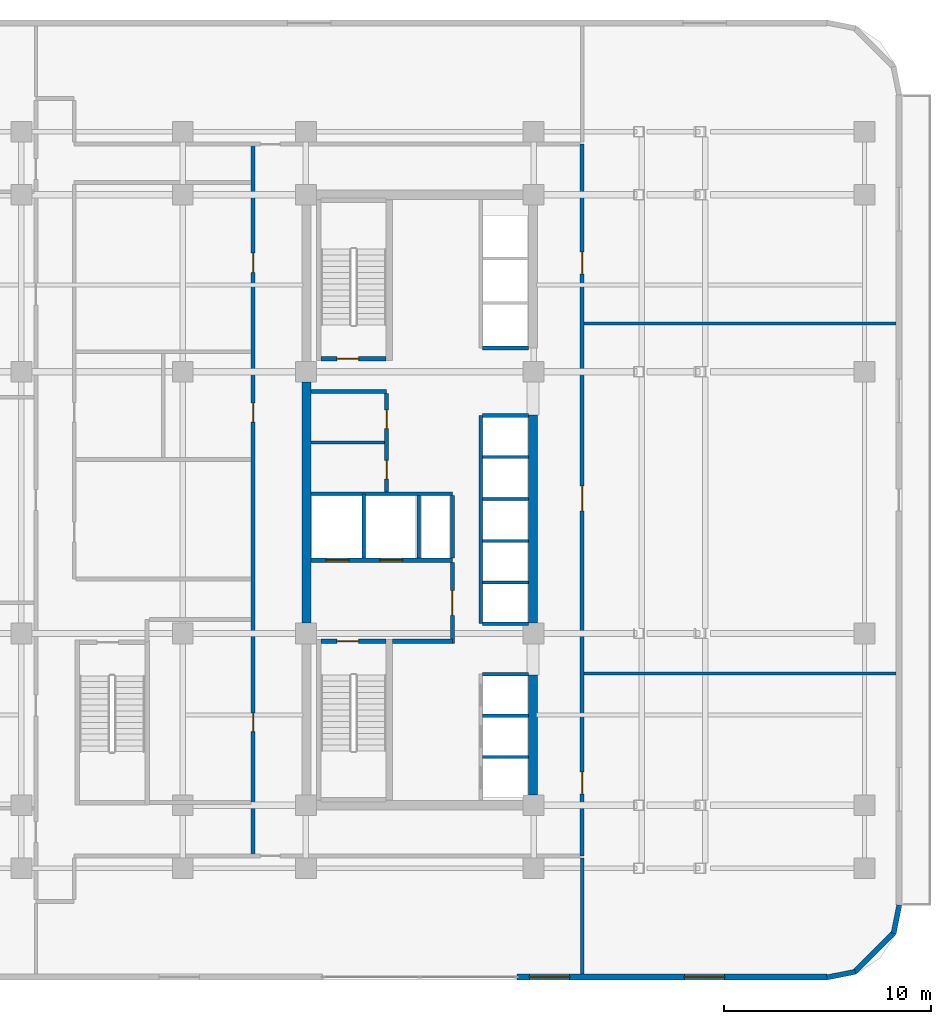
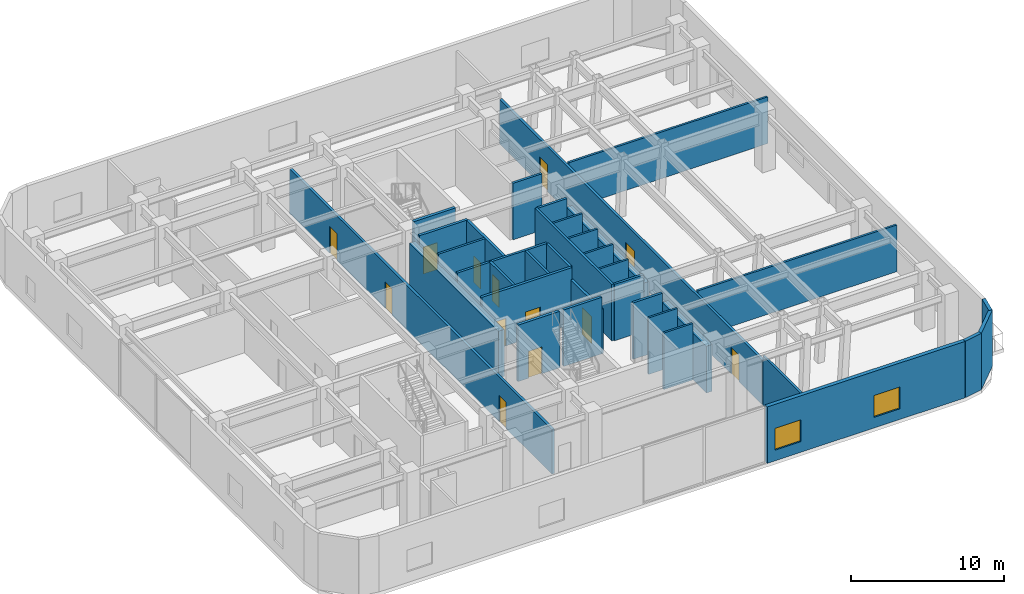
# One storey, part 7 of 12: 35 walls, 13 doors, 2 windows, 15 openings.
"""IFC4 building model written with IfcOpenShell, lengths in metres."""

import ifcopenshell
import ifcopenshell.guid

model = None  # the IFC model being written
_history = None  # IfcOwnerHistory: only IFC2X3 demands one
_inside = {}  # id of a spatial element -> (the spatial element, [elements in it])
_under = {}  # id of a project, library or spatial element -> (it, [spatial elements below it])
_declared = {}  # id of a project -> (the project, [libraries it declares])
_typed = {}  # id of a type object -> (the type object, [elements of that type])
_made_of = {}  # id of a material, layer set ... -> (it, [elements and type objects made of it])


def new_model(schema):
    """Start an empty IFC model of exactly this schema.

    Asked for "IFC4X3", IfcOpenShell would pick the latest addendum, in which some entities
    have other attributes; the version numbers below select the first issue.
    IFC2X3 requires an IfcOwnerHistory on every rooted entity: one is made here for all.
    """
    global model, _history
    if schema == "IFC4X3":
        model = ifcopenshell.file(schema_version=(4, 3, 0, 0))
    else:
        model = ifcopenshell.file(schema=schema)
    _inside.clear()
    _under.clear()
    _declared.clear()
    _typed.clear()
    _made_of.clear()
    _history = None
    if model.schema == "IFC2X3":
        org = make("IfcOrganization", Name="unknown")
        user = make(
            "IfcPersonAndOrganization",
            ThePerson=make("IfcPerson", FamilyName="unknown"),
            TheOrganization=org,
        )
        app = make(
            "IfcApplication",
            ApplicationDeveloper=org,
            Version="unknown",
            ApplicationFullName="unknown",
            ApplicationIdentifier="unknown",
        )
        _history = make(
            "IfcOwnerHistory",
            OwningUser=user,
            OwningApplication=app,
            ChangeAction="ADDED",
            CreationDate=0,
        )
    return model


def make(cls, **values):
    """One entity of the class cls with the attributes given. An attribute that is None is left unset."""
    return model.create_entity(
        cls, **{name: value for name, value in values.items() if value is not None}
    )


def rooted(cls, **values):
    """An entity with a GlobalId (a new one), such as an element, a storey or a relation."""
    return make(cls, GlobalId=ifcopenshell.guid.new(), OwnerHistory=_history, **values)


def si_unit(unit_type, name, prefix=None):
    """IfcSIUnit, for example si_unit("LENGTHUNIT", "METRE", prefix="MILLI")."""
    return make("IfcSIUnit", UnitType=unit_type, Prefix=prefix, Name=name)


def assignment(units):
    """IfcUnitAssignment: the units of a project."""
    return None if units is None else make("IfcUnitAssignment", Units=units)


def point(xyz):
    """IfcCartesianPoint."""
    return None if xyz is None else make("IfcCartesianPoint", Coordinates=xyz)


def direction(xyz):
    """IfcDirection."""
    return None if xyz is None else make("IfcDirection", DirectionRatios=xyz)


def frame(location, z_axis=None, x_axis=None):
    """IfcAxis2Placement3D, a coordinate frame: its origin and axes. An axis left out is left unset."""
    return make(
        "IfcAxis2Placement3D",
        Location=point(location),
        Axis=direction(z_axis),
        RefDirection=direction(x_axis),
    )


def frame_2d(location, x_axis=None):
    """IfcAxis2Placement2D, a coordinate frame in the plane: its origin and x axis."""
    return make(
        "IfcAxis2Placement2D", Location=point(location), RefDirection=direction(x_axis)
    )


def origin():
    """The frame at (0, 0, 0) with its axes left unset."""
    return frame((0.0, 0.0, 0.0))


def place(relative_to, where):
    """IfcLocalPlacement: puts the frame where relative to a parent placement (None: the world)."""
    return make(
        "IfcLocalPlacement", PlacementRelTo=relative_to, RelativePlacement=where
    )


def context(
    kind, dimensions, precision=None, world=None, true_north=None, identifier=None
):
    """IfcGeometricRepresentationContext, for example the 3D "Model" context."""
    return make(
        "IfcGeometricRepresentationContext",
        ContextIdentifier=identifier,
        ContextType=kind,
        CoordinateSpaceDimension=dimensions,
        Precision=precision,
        WorldCoordinateSystem=world,
        TrueNorth=true_north,
    )


def subcontext(parent, identifier, kind, view, scale=None):
    """IfcGeometricRepresentationSubContext, for example "Body" below "Model"."""
    return make(
        "IfcGeometricRepresentationSubContext",
        ContextIdentifier=identifier,
        ContextType=kind,
        ParentContext=parent,
        TargetScale=scale,
        TargetView=view,
    )


def project(units=None, contexts=None):
    """IfcProject with its units and contexts."""
    return rooted(
        "IfcProject",
        Name="project",
        RepresentationContexts=contexts,
        UnitsInContext=assignment(units),
    )


def spatial(cls, under=None, at=None, **own):
    """A site, building, storey or space (cls), placed at a placement, below another one or the project."""
    s = rooted(cls, ObjectPlacement=at, **own)
    if under is not None:
        _under.setdefault(under.id(), (under, []))[1].append(s)
    return s


def profile(cls, at=None, kind="AREA", **sizes):
    """A parametric profile (cls). Its sizes go by their IFC names, for example OverallWidth=200.0."""
    return make(cls, ProfileType=kind, Position=at, **sizes)


def rectangle(**sizes):
    """IfcRectangleProfileDef."""
    return profile("IfcRectangleProfileDef", **sizes)


def extrude(swept, where, along, depth):
    """IfcExtrudedAreaSolid: the profile swept, set in the frame where, extruded along a direction by depth."""
    return make(
        "IfcExtrudedAreaSolid",
        SweptArea=swept,
        Position=where,
        ExtrudedDirection=direction(along),
        Depth=depth,
    )


def shape(context_of_items, identifier, shape_type, items):
    """IfcShapeRepresentation: the items that make up one representation, for example the "Body"."""
    return make(
        "IfcShapeRepresentation",
        ContextOfItems=context_of_items,
        RepresentationIdentifier=identifier,
        RepresentationType=shape_type,
        Items=items,
    )


def material(Name=None, Category=None):
    """IfcMaterial."""
    return make("IfcMaterial", Name=Name, Category=Category)


def layer(
    of_material, thickness, ventilated=None, Name=None, Category=None, Priority=None
):
    """IfcMaterialLayer: one layer of a wall or slab, of a material (None: an air gap)."""
    return make(
        "IfcMaterialLayer",
        Material=of_material,
        LayerThickness=thickness,
        IsVentilated=ventilated,
        Name=Name,
        Category=Category,
        Priority=Priority,
    )


def layer_set(layers, Name=None):
    """IfcMaterialLayerSet."""
    return make("IfcMaterialLayerSet", MaterialLayers=layers, LayerSetName=Name)


def made_of(thing, what):
    """Note that an element or type object is made of a material, layer set ...; save() writes the relation."""
    if what is not None:
        _made_of.setdefault(what.id(), (what, []))[1].append(thing)
    return thing


def type_object(cls, material=None, **own):
    """A type object (cls), such as IfcWallType, which elements share."""
    return made_of(rooted(cls, **own), material)


def element(
    cls,
    number,
    at=None,
    inside=None,
    cuts=None,
    type_object=None,
    material=None,
    context=None,
    identifier="Body",
    shape_type=None,
    held_by="IfcProductDefinitionShape",
    body=None,
    shapes=None,
    **own,
):
    """One element of the class cls, such as IfcWall. Its Tag is "e" and its number.

    at: its placement. inside: the storey or other place that contains it. cuts: it is an
    opening in that element (IfcRelVoidsElement). A single representation is given by context,
    identifier, shape_type and body (its items); several are given by shapes. held_by: the class
    of the entity that holds the representations. save() writes the other relations.
    """
    e = rooted(cls, Tag="e%d" % number, ObjectPlacement=at, **own)
    if body is not None:
        shapes = [shape(context, identifier, shape_type, body)]
    if shapes is not None:
        e.Representation = make(held_by, Representations=shapes)
    if inside is not None:
        _inside.setdefault(inside.id(), (inside, []))[1].append(e)
    if cuts is not None:
        rooted(
            "IfcRelVoidsElement", RelatingBuildingElement=cuts, RelatedOpeningElement=e
        )
    if type_object is not None:
        _typed.setdefault(type_object.id(), (type_object, []))[1].append(e)
    return made_of(e, material)


def fill(opening, filler):
    """IfcRelFillsElement: the door or window that sits in an opening."""
    return rooted(
        "IfcRelFillsElement",
        RelatingOpeningElement=opening,
        RelatedBuildingElement=filler,
    )


def aggregate(whole, parts):
    """IfcRelAggregates: a whole, such as a stair, and the parts it consists of."""
    return rooted("IfcRelAggregates", RelatingObject=whole, RelatedObjects=parts)


def save(model, path):
    """Write the relations noted so far, then the file.

    IfcRelAggregates (storeys below a building ...), IfcRelContainedInSpatialStructure (elements
    in a storey), IfcRelDefinesByType, IfcRelAssociatesMaterial and IfcRelDeclares: one each for
    every whole, place, type object, material and project.
    """
    for whole, parts in _under.values():
        aggregate(whole, parts)
    for where, things in _inside.values():
        rooted(
            "IfcRelContainedInSpatialStructure",
            RelatedElements=things,
            RelatingStructure=where,
        )
    for kind, things in _typed.values():
        rooted("IfcRelDefinesByType", RelatedObjects=things, RelatingType=kind)
    for what, things in _made_of.values():
        rooted("IfcRelAssociatesMaterial", RelatedObjects=things, RelatingMaterial=what)
    for by, libraries in _declared.values():
        rooted("IfcRelDeclares", RelatingContext=by, RelatedDefinitions=libraries)
    model.write(path)


model = new_model("IFC4")

# Units and contexts
model_context = context("Model", 3, precision=1e-05, world=origin(), true_north=direction((0.0, 1.0)))
body_context = subcontext(model_context, "Body", "Model", "MODEL_VIEW")
ifc_project = project(units=[si_unit("LENGTHUNIT", "METRE"), si_unit("AREAUNIT", "SQUARE_METRE"), si_unit("VOLUMEUNIT", "CUBIC_METRE"), si_unit("PLANEANGLEUNIT", "RADIAN"), si_unit("MASSUNIT", "GRAM", prefix="KILO")], contexts=[model_context])

# Site, building, storey
site_placement = place(None, origin())
site = spatial("IfcSite", under=ifc_project, at=site_placement, CompositionType="ELEMENT")
building_placement = place(site_placement, origin())
building = spatial("IfcBuilding", under=site, at=building_placement, Name="Ochreholt Gables", CompositionType="ELEMENT")
storey_placement = place(building_placement, frame((0.0, 0.0, 9.60009765625)))
storey = spatial("IfcBuildingStorey", under=building, at=storey_placement, Name="L02", CompositionType="ELEMENT", Elevation=9.60009765625)

# Walls
ifc_material_1 = material(Name="Concrete 60 MPa", Category="concrete")
ifc_layer_1 = layer(ifc_material_1, 0.449951171875, Name="Concrete 60 MPa")
ifc_layer_set_1 = layer_set([ifc_layer_1], Name="Concrete 60 MPa")
wall_type_1 = type_object("IfcWallType", Name="WALL-CSW-450", PredefinedType="SHEAR", material=ifc_layer_set_1)
wall_1_placement = place(storey_placement, frame((24.22509765625, 18.050048828125, 0.0), z_axis=(0.0, 0.0, 1.0), x_axis=(0.0, 1.0, 0.0)))
element("IfcWall", 1, at=wall_1_placement, inside=storey, type_object=wall_type_1, Name="L02 Core West Shear Wall WM", PredefinedType="SHEAR", context=body_context, shape_type="SweptSolid", body=[
    extrude(rectangle(XDim=11.64990234375, YDim=0.449951171875, at=frame_2d((5.824951171875, 0.0))), origin(), (0.0, 0.0, 1.0), 3.75),
])
wall_2_placement = place(storey_placement, frame((35.175048828125, 9.75, 0.0), z_axis=(0.0, 0.0, 1.0), x_axis=(0.0, 1.0, 0.0)))
element("IfcWall", 2, at=wall_2_placement, inside=storey, type_object=wall_type_1, Name="L02 Core South-East Shear Wall", PredefinedType="SHEAR", context=body_context, shape_type="SweptSolid", body=[
    extrude(rectangle(XDim=5.800048828125, YDim=0.449951171875, at=frame_2d((2.89990234375, 0.0))), origin(), (0.0, 0.0, 1.0), 3.75),
])
wall_3_placement = place(storey_placement, frame((35.175048828125, 18.050048828125, 0.0), z_axis=(0.0, 0.0, 1.0), x_axis=(0.0, 1.0, 0.0)))
element("IfcWall", 3, at=wall_3_placement, inside=storey, type_object=wall_type_1, Name="L02 Core Central-East Shear Wall", PredefinedType="SHEAR", context=body_context, shape_type="SweptSolid", body=[
    extrude(rectangle(XDim=10.050048828125, YDim=0.449951171875, at=frame_2d((5.02490234375, 0.0))), origin(), (0.0, 0.0, 1.0), 3.75),
])

# Wall, openings, windows
ifc_material_2 = material(Name="Precast concrete 40 MPa", Category="concrete")
ifc_layer_2 = layer(ifc_material_2, 0.2900390625, Name="Precast concrete 40 MPa")
ifc_layer_set_2 = layer_set([ifc_layer_2], Name="Precast concrete 40 MPa")
wall_type_2 = type_object("IfcWallType", Name="WALL-EXT-290", PredefinedType="SOLIDWALL", material=ifc_layer_set_2)
wall_4_placement = place(storey_placement, frame((34.39990234375, 0.945068359375, 0.0), z_axis=(0.0, 0.0, 1.0), x_axis=(1.0, 0.0, 0.0)))
wall_4 = element("IfcWall", 4, at=wall_4_placement, inside=storey, type_object=wall_type_2, Name="L02 South Facade Wall 2", PredefinedType="SOLIDWALL", context=body_context, shape_type="SweptSolid", body=[
    extrude(rectangle(XDim=14.97998046875, YDim=0.2900390625, at=frame_2d((7.489990234375, 0.0))), origin(), (0.0, 0.0, 1.0), 4.52001953125),
])
opening_1_placement = place(wall_4_placement, frame((0.60009765625, 0.0, 0.85009765625)))
opening_1 = element("IfcOpeningElement", 5, at=opening_1_placement, cuts=wall_4, Name="Opening WN-9", PredefinedType="OPENING", context=body_context, shape_type="SweptSolid", body=[
    extrude(rectangle(XDim=1.949951171875, YDim=1.75, at=frame_2d((0.97509765625, 0.875))), frame((0.0, 0.155029296875, 0.0), z_axis=(0.0, -1.0, 0.0), x_axis=(1.0, 0.0, 0.0)), (0.0, 0.0, 1.0), 0.31005859375),
])
opening_2_placement = place(wall_4_placement, frame((8.090087890625, 0.0, 0.85009765625)))
opening_2 = element("IfcOpeningElement", 6, at=opening_2_placement, cuts=wall_4, Name="Opening WN-9", PredefinedType="OPENING", context=body_context, shape_type="SweptSolid", body=[
    extrude(rectangle(XDim=1.949951171875, YDim=1.75, at=frame_2d((0.97509765625, 0.875))), frame((0.0, 0.155029296875, 0.0), z_axis=(0.0, -1.0, 0.0), x_axis=(1.0, 0.0, 0.0)), (0.0, 0.0, 1.0), 0.31005859375),
])
ifc_material_3 = material(Name="Triple-Glazed Thermally Broken Aluminium Window", Category="aluminium")
window_type = type_object("IfcWindowType", Name="WIN-CLN-1950", PartitioningType="SINGLE_PANEL", PredefinedType="WINDOW", material=ifc_material_3)
window_1_placement = place(opening_1_placement, origin())
window_1 = element("IfcWindow", 7, at=window_1_placement, inside=storey, type_object=window_type, Name="L02 Window W-EXT-S2-L02-1", OverallHeight=1.75, OverallWidth=1.949951171875, PartitioningType="SINGLE_PANEL", PredefinedType="WINDOW", context=body_context, shape_type="SweptSolid", body=[
    extrude(rectangle(XDim=1.949951171875, YDim=1.75, at=frame_2d((0.97509765625, 0.875))), frame((0.0, 0.030029296875, 0.0), z_axis=(0.0, -1.0, 0.0), x_axis=(1.0, 0.0, 0.0)), (0.0, 0.0, 1.0), 0.06005859375),
])
fill(opening_1, window_1)
window_2_placement = place(opening_2_placement, origin())
window_2 = element("IfcWindow", 8, at=window_2_placement, inside=storey, type_object=window_type, Name="L02 Window W-EXT-S2-L02-2", OverallHeight=1.75, OverallWidth=1.949951171875, PartitioningType="SINGLE_PANEL", PredefinedType="WINDOW", context=body_context, shape_type="SweptSolid", body=[
    extrude(rectangle(XDim=1.949951171875, YDim=1.75, at=frame_2d((0.97509765625, 0.875))), frame((0.0, 0.030029296875, 0.0), z_axis=(0.0, -1.0, 0.0), x_axis=(1.0, 0.0, 0.0)), (0.0, 0.0, 1.0), 0.06005859375),
])
fill(opening_2, window_2)

# Walls
ifc_layer_3 = layer(ifc_material_2, 0.25, Name="Precast concrete 40 MPa")
ifc_layer_set_3 = layer_set([ifc_layer_3], Name="Precast concrete 40 MPa")
wall_type_3 = type_object("IfcWallType", Name="WALL-EXT-CNR", PredefinedType="SOLIDWALL", material=ifc_layer_set_3)
wall_5_placement = place(storey_placement, frame((49.383544921875, 0.92431640625, 0.0), z_axis=(0.0, 0.0, 1.0), x_axis=(0.980809899341, 0.19496651342, 0.0)))
element("IfcWall", 9, at=wall_5_placement, inside=storey, type_object=wall_type_3, Name="L02 Rounded Corner Wall SE-1", PredefinedType="SOLIDWALL", context=body_context, shape_type="SweptSolid", body=[
    extrude(rectangle(XDim=1.388671875, YDim=0.25, at=frame_2d((0.6943359375, 0.0))), origin(), (0.0, 0.0, 1.0), 4.52001953125),
])
wall_6_placement = place(storey_placement, frame((50.695068359375, 1.16796875, 0.0), z_axis=(0.0, 0.0, 1.0), x_axis=(0.707106781187, 0.707106781187, 0.0)))
element("IfcWall", 10, at=wall_6_placement, inside=storey, type_object=wall_type_3, Name="L02 Rounded Corner Wall SE-2", PredefinedType="SOLIDWALL", context=body_context, shape_type="SweptSolid", body=[
    extrude(rectangle(XDim=2.7392578125, YDim=0.25, at=frame_2d((1.36962890625, 0.0))), origin(), (0.0, 0.0, 1.0), 4.52001953125),
])
wall_7_placement = place(storey_placement, frame((52.60498046875, 3.054443359375, 0.0), z_axis=(0.0, 0.0, 1.0), x_axis=(0.19496651342, 0.980809899341, 0.0)))
element("IfcWall", 11, at=wall_7_placement, inside=storey, type_object=wall_type_3, Name="L02 Rounded Corner Wall SE-3", PredefinedType="SOLIDWALL", context=body_context, shape_type="SweptSolid", body=[
    extrude(rectangle(XDim=1.388671875, YDim=0.25, at=frame_2d((0.6943359375, 0.0))), origin(), (0.0, 0.0, 1.0), 4.52001953125),
])

# Wall, openings, doors
ifc_material_4 = material(Name="Concrete 40 MPa", Category="concrete")
ifc_layer_4 = layer(ifc_material_4, 0.199951171875, Name="Concrete 40 MPa")
ifc_layer_set_4 = layer_set([ifc_layer_4], Name="Concrete 40 MPa")
wall_type_4 = type_object("IfcWallType", Name="WALL-INT-CF200", PredefinedType="STANDARD", material=ifc_layer_set_4)
wall_8_placement = place(storey_placement, frame((24.449951171875, 21.090087890625, 0.0), z_axis=(0.0, 0.0, 1.0), x_axis=(1.0, 0.0, 0.0)))
wall_8 = element("IfcWall", 12, at=wall_8_placement, inside=storey, type_object=wall_type_4, Name="L02 Interior Wall WI-FFN-L02", PredefinedType="STANDARD", context=body_context, shape_type="SweptSolid", body=[
    extrude(rectangle(XDim=6.830078125, YDim=0.199951171875, at=frame_2d((3.4150390625, 0.0))), origin(), (0.0, 0.0, 1.0), 4.52001953125),
])
opening_3_placement = place(wall_8_placement, frame((0.719970703125, 0.0, 0.0)))
opening_3 = element("IfcOpeningElement", 13, at=opening_3_placement, cuts=wall_8, Name="Opening LD-FF", PredefinedType="OPENING", context=body_context, shape_type="SweptSolid", body=[
    extrude(rectangle(XDim=1.10009765625, YDim=2.199951171875, at=frame_2d((0.550048828125, 1.10009765625))), frame((0.0, 0.10986328125, 0.0), z_axis=(0.0, -1.0, 0.0), x_axis=(1.0, 0.0, 0.0)), (0.0, 0.0, 1.0), 0.219970703125),
])
opening_4_placement = place(wall_8_placement, frame((3.320068359375, 0.0, 0.0)))
opening_4 = element("IfcOpeningElement", 14, at=opening_4_placement, cuts=wall_8, Name="Opening LD-FF", PredefinedType="OPENING", context=body_context, shape_type="SweptSolid", body=[
    extrude(rectangle(XDim=1.10009765625, YDim=2.199951171875, at=frame_2d((0.550048828125, 1.10009765625))), frame((0.0, 0.10986328125, 0.0), z_axis=(0.0, -1.0, 0.0), x_axis=(1.0, 0.0, 0.0)), (0.0, 0.0, 1.0), 0.219970703125),
])
ifc_material_5 = material(Name="Stainless Steel", Category="steel")
door_type_1 = type_object("IfcDoorType", Name="DR-LFT-FF1100", OperationType="NOTDEFINED", PredefinedType="DOOR", material=ifc_material_5)
door_1_placement = place(opening_3_placement, origin())
door_1 = element("IfcDoor", 15, at=door_1_placement, inside=storey, type_object=door_type_1, Name="L02 Door LD-FF1-L02", OperationType="SLIDING_TO_LEFT", OverallHeight=2.199951171875, OverallWidth=1.10009765625, PredefinedType="DOOR", context=body_context, shape_type="SweptSolid", body=[
    extrude(rectangle(XDim=1.10009765625, YDim=2.199951171875, at=frame_2d((0.550048828125, 1.10009765625))), frame((0.0, 0.02490234375, 0.0), z_axis=(0.0, -1.0, 0.0), x_axis=(1.0, 0.0, 0.0)), (0.0, 0.0, 1.0), 0.050048828125),
])
fill(opening_3, door_1)
door_2_placement = place(opening_4_placement, origin())
door_2 = element("IfcDoor", 16, at=door_2_placement, inside=storey, type_object=door_type_1, Name="L02 Door LD-FF2-L02", OperationType="SLIDING_TO_LEFT", OverallHeight=2.199951171875, OverallWidth=1.10009765625, PredefinedType="DOOR", context=body_context, shape_type="SweptSolid", body=[
    extrude(rectangle(XDim=1.10009765625, YDim=2.199951171875, at=frame_2d((0.550048828125, 1.10009765625))), frame((0.0, 0.02490234375, 0.0), z_axis=(0.0, -1.0, 0.0), x_axis=(1.0, 0.0, 0.0)), (0.0, 0.0, 1.0), 0.050048828125),
])
fill(opening_4, door_2)

# Wall
wall_9_placement = place(storey_placement, frame((28.3798828125, 17.169921875, 0.0), z_axis=(0.0, 0.0, 1.0), x_axis=(1.0, 0.0, 0.0)))
element("IfcWall", 17, at=wall_9_placement, inside=storey, type_object=wall_type_4, Name="L02 Interior Wall WI-FFS-L02", PredefinedType="STANDARD", context=body_context, shape_type="SweptSolid", body=[
    extrude(rectangle(XDim=2.900146484375, YDim=0.199951171875, at=frame_2d((1.4501953125, 0.0))), origin(), (0.0, 0.0, 1.0), 4.52001953125),
])

# Wall, opening, door
wall_10_placement = place(storey_placement, frame((31.280029296875, 17.070068359375, 0.0), z_axis=(0.0, 0.0, 1.0), x_axis=(0.0, 1.0, 0.0)))
wall_10 = element("IfcWall", 18, at=wall_10_placement, inside=storey, type_object=wall_type_4, Name="L02 Interior Wall WI-FFE-L02", PredefinedType="STANDARD", context=body_context, shape_type="SweptSolid", body=[
    extrude(rectangle(XDim=3.919921875, YDim=0.199951171875, at=frame_2d((1.9599609375, 0.0))), origin(), (0.0, 0.0, 1.0), 3.574951171875),
])
opening_5_placement = place(wall_10_placement, frame((1.35009765625, 0.0, 0.0)))
opening_5 = element("IfcOpeningElement", 19, at=opening_5_placement, cuts=wall_10, Name="Opening D-FFL", PredefinedType="OPENING", context=body_context, shape_type="SweptSolid", body=[
    extrude(rectangle(XDim=1.199951171875, YDim=2.14990234375, at=frame_2d((0.60009765625, 1.074951171875))), frame((0.0, 0.10986328125, 0.0), z_axis=(0.0, -1.0, 0.0), x_axis=(1.0, 0.0, 0.0)), (0.0, 0.0, 1.0), 0.219970703125),
])
ifc_material_6 = material(Name="Hollow Metal Steel", Category="steel")
door_type_2 = type_object("IfcDoorType", Name="DR-INT-FFL1200", OperationType="NOTDEFINED", PredefinedType="DOOR", material=ifc_material_6)
door_3_placement = place(opening_5_placement, origin())
door_3 = element("IfcDoor", 20, at=door_3_placement, inside=storey, type_object=door_type_2, Name="L02 Door D-FFL-L02", OperationType="SINGLE_SWING_LEFT", OverallHeight=2.14990234375, OverallWidth=1.199951171875, PredefinedType="DOOR", context=body_context, shape_type="SweptSolid", body=[
    extrude(rectangle(XDim=1.199951171875, YDim=2.14990234375, at=frame_2d((0.60009765625, 1.074951171875))), frame((0.0, 0.02490234375, 0.0), z_axis=(0.0, -1.0, 0.0), x_axis=(1.0, 0.0, 0.0)), (0.0, 0.0, 1.0), 0.050048828125),
])
fill(opening_5, door_3)

# Wall
wall_11_placement = place(storey_placement, frame((24.449951171875, 29.239990234375, 0.0), z_axis=(0.0, 0.0, 1.0), x_axis=(1.0, 0.0, 0.0)))
element("IfcWall", 21, at=wall_11_placement, inside=storey, type_object=wall_type_4, Name="L02 Interior Wall WI-SRVN-L02", PredefinedType="STANDARD", context=body_context, shape_type="SweptSolid", body=[
    extrude(rectangle(XDim=3.650146484375, YDim=0.199951171875, at=frame_2d((1.8251953125, 0.0))), origin(), (0.0, 0.0, 1.0), 4.52001953125),
])

# Wall, openings, doors
wall_12_placement = place(storey_placement, frame((28.10009765625, 24.389892578125, 0.0), z_axis=(0.0, 0.0, 1.0), x_axis=(0.0, 1.0, 0.0)))
wall_12 = element("IfcWall", 22, at=wall_12_placement, inside=storey, type_object=wall_type_4, Name="L02 Interior Wall WI-SRVE-L02", PredefinedType="STANDARD", context=body_context, shape_type="SweptSolid", body=[
    extrude(rectangle(XDim=4.75, YDim=0.199951171875, at=frame_2d((2.375, 0.0))), origin(), (0.0, 0.0, 1.0), 4.52001953125),
])
opening_6_placement = place(wall_12_placement, frame((0.6298828125, 0.0, 0.0)))
opening_6 = element("IfcOpeningElement", 23, at=opening_6_placement, cuts=wall_12, Name="Opening D-SV1", PredefinedType="OPENING", context=body_context, shape_type="SweptSolid", body=[
    extrude(rectangle(XDim=0.89990234375, YDim=2.10009765625, at=frame_2d((0.449951171875, 1.050048828125))), frame((0.0, 0.10986328125, 0.0), z_axis=(0.0, -1.0, 0.0), x_axis=(1.0, 0.0, 0.0)), (0.0, 0.0, 1.0), 0.219970703125),
])
opening_7_placement = place(wall_12_placement, frame((3.06005859375, 0.0, 0.0)))
opening_7 = element("IfcOpeningElement", 24, at=opening_7_placement, cuts=wall_12, Name="Opening D-SV1", PredefinedType="OPENING", context=body_context, shape_type="SweptSolid", body=[
    extrude(rectangle(XDim=0.89990234375, YDim=2.10009765625, at=frame_2d((0.449951171875, 1.050048828125))), frame((0.0, 0.10986328125, 0.0), z_axis=(0.0, -1.0, 0.0), x_axis=(1.0, 0.0, 0.0)), (0.0, 0.0, 1.0), 0.219970703125),
])
door_type_3 = type_object("IfcDoorType", Name="DR-INT-SRV900", OperationType="NOTDEFINED", PredefinedType="DOOR", material=ifc_material_6)
door_4_placement = place(opening_6_placement, origin())
door_4 = element("IfcDoor", 25, at=door_4_placement, inside=storey, type_object=door_type_3, Name="L02 Door D-SRV1-L02", OperationType="SINGLE_SWING_LEFT", OverallHeight=2.10009765625, OverallWidth=0.89990234375, PredefinedType="DOOR", context=body_context, shape_type="SweptSolid", body=[
    extrude(rectangle(XDim=0.89990234375, YDim=2.10009765625, at=frame_2d((0.449951171875, 1.050048828125))), frame((0.0, 0.02490234375, 0.0), z_axis=(0.0, -1.0, 0.0), x_axis=(1.0, 0.0, 0.0)), (0.0, 0.0, 1.0), 0.050048828125),
])
fill(opening_6, door_4)
door_5_placement = place(opening_7_placement, origin())
door_5 = element("IfcDoor", 26, at=door_5_placement, inside=storey, type_object=door_type_3, Name="L02 Door D-SRV2-L02", OperationType="SINGLE_SWING_RIGHT", OverallHeight=2.10009765625, OverallWidth=0.89990234375, PredefinedType="DOOR", context=body_context, shape_type="SweptSolid", body=[
    extrude(rectangle(XDim=0.89990234375, YDim=2.10009765625, at=frame_2d((0.449951171875, 1.050048828125))), frame((0.0, 0.02490234375, 0.0), z_axis=(0.0, -1.0, 0.0), x_axis=(1.0, 0.0, 0.0)), (0.0, 0.0, 1.0), 0.050048828125),
])
fill(opening_7, door_5)

ifc_material_7 = material(Name="Fire-Rated Gypsum Acoustic Partition", Category="gypsum")
ifc_layer_5 = layer(ifc_material_7, 0.18994140625, Name="Fire-Rated Gypsum Acoustic Partition")
ifc_layer_set_5 = layer_set([ifc_layer_5], Name="Fire-Rated Gypsum Acoustic Partition")
wall_type_5 = type_object("IfcWallType", Name="WALL-INT-CR190", PredefinedType="STANDARD", material=ifc_layer_set_5)
wall_13_placement = place(storey_placement, frame((21.64990234375, 6.800048828125, 0.0), z_axis=(0.0, 0.0, 1.0), x_axis=(0.0, 1.0, 0.0)))
wall_13 = element("IfcWall", 27, at=wall_13_placement, inside=storey, type_object=wall_type_5, Name="L02 Interior Wall WI-CLCW-L02", PredefinedType="STANDARD", context=body_context, shape_type="SweptSolid", body=[
    extrude(rectangle(XDim=34.39990234375, YDim=0.18994140625, at=frame_2d((17.199951171875, 0.0))), origin(), (0.0, 0.0, 1.0), 3.574951171875),
])
opening_8_placement = place(wall_13_placement, frame((20.9599609375, 0.0, 0.0)))
opening_8 = element("IfcOpeningElement", 28, at=opening_8_placement, cuts=wall_13, Name="Opening D-WC1", PredefinedType="OPENING", context=body_context, shape_type="SweptSolid", body=[
    extrude(rectangle(XDim=0.919921875, YDim=2.139892578125, at=frame_2d((0.4599609375, 1.06982421875))), frame((0.0, 0.10498046875, 0.0), z_axis=(0.0, -1.0, 0.0), x_axis=(1.0, 0.0, 0.0)), (0.0, 0.0, 1.0), 0.2099609375),
])
opening_9_placement = place(wall_13_placement, frame((28.199951171875, 0.0, 0.0)))
opening_9 = element("IfcOpeningElement", 29, at=opening_9_placement, cuts=wall_13, Name="Opening D-GN1", PredefinedType="OPENING", context=body_context, shape_type="SweptSolid", body=[
    extrude(rectangle(XDim=0.949951171875, YDim=2.14990234375, at=frame_2d((0.47509765625, 1.074951171875))), frame((0.0, 0.10498046875, 0.0), z_axis=(0.0, -1.0, 0.0), x_axis=(1.0, 0.0, 0.0)), (0.0, 0.0, 1.0), 0.2099609375),
])
opening_10_placement = place(wall_13_placement, frame((6.0, 0.0, 0.0)))
opening_10 = element("IfcOpeningElement", 30, at=opening_10_placement, cuts=wall_13, Name="Opening D-SV1", PredefinedType="OPENING", context=body_context, shape_type="SweptSolid", body=[
    extrude(rectangle(XDim=0.89990234375, YDim=2.10009765625, at=frame_2d((0.449951171875, 1.050048828125))), frame((0.0, 0.10498046875, 0.0), z_axis=(0.0, -1.0, 0.0), x_axis=(1.0, 0.0, 0.0)), (0.0, 0.0, 1.0), 0.2099609375),
])
ifc_material_8 = material(Name="Engineered Oak Timber", Category="wood")
door_type_4 = type_object("IfcDoorType", Name="DR-INT-GEN950", OperationType="NOTDEFINED", PredefinedType="DOOR", material=ifc_material_8)
door_6_placement = place(opening_9_placement, origin())
door_6 = element("IfcDoor", 31, at=door_6_placement, inside=storey, type_object=door_type_4, Name="L02 Door D-CLMN2-L02", OperationType="SINGLE_SWING_RIGHT", OverallHeight=2.14990234375, OverallWidth=0.949951171875, PredefinedType="DOOR", context=body_context, shape_type="SweptSolid", body=[
    extrude(rectangle(XDim=0.949951171875, YDim=2.14990234375, at=frame_2d((0.47509765625, 1.074951171875))), frame((0.0, 0.02490234375, 0.0), z_axis=(0.0, -1.0, 0.0), x_axis=(1.0, 0.0, 0.0)), (0.0, 0.0, 1.0), 0.050048828125),
])
fill(opening_9, door_6)
door_7_placement = place(opening_10_placement, origin())
door_7 = element("IfcDoor", 32, at=door_7_placement, inside=storey, type_object=door_type_3, Name="L02 Door D-CLMRS-L02", OperationType="SINGLE_SWING_LEFT", OverallHeight=2.10009765625, OverallWidth=0.89990234375, PredefinedType="DOOR", context=body_context, shape_type="SweptSolid", body=[
    extrude(rectangle(XDim=0.89990234375, YDim=2.10009765625, at=frame_2d((0.449951171875, 1.050048828125))), frame((0.0, 0.02490234375, 0.0), z_axis=(0.0, -1.0, 0.0), x_axis=(1.0, 0.0, 0.0)), (0.0, 0.0, 1.0), 0.050048828125),
])
fill(opening_10, door_7)
door_type_5 = type_object("IfcDoorType", Name="DR-INT-WC920", OperationType="NOTDEFINED", PredefinedType="DOOR", material=ifc_material_8)
door_8_placement = place(opening_8_placement, origin())
door_8 = element("IfcDoor", 33, at=door_8_placement, inside=storey, type_object=door_type_5, Name="L02 Door D-CLMWC2-L02", OperationType="SINGLE_SWING_LEFT", OverallHeight=2.139892578125, OverallWidth=0.919921875, PredefinedType="DOOR", context=body_context, shape_type="SweptSolid", body=[
    extrude(rectangle(XDim=0.919921875, YDim=2.139892578125, at=frame_2d((0.4599609375, 1.06982421875))), frame((0.0, 0.02490234375, 0.0), z_axis=(0.0, -1.0, 0.0), x_axis=(1.0, 0.0, 0.0)), (0.0, 0.0, 1.0), 0.050048828125),
])
fill(opening_8, door_8)

wall_14_placement = place(storey_placement, frame((37.550048828125, 6.800048828125, 0.0), z_axis=(0.0, 0.0, 1.0), x_axis=(0.0, 1.0, 0.0)))
wall_14 = element("IfcWall", 34, at=wall_14_placement, inside=storey, type_object=wall_type_5, Name="L02 Interior Wall WI-CLCE-L02", PredefinedType="STANDARD", context=body_context, shape_type="SweptSolid", body=[
    extrude(rectangle(XDim=34.39990234375, YDim=0.18994140625, at=frame_2d((17.199951171875, 0.0))), origin(), (0.0, 0.0, 1.0), 3.574951171875),
])
opening_11_placement = place(wall_14_placement, frame((3.0, 0.0, 0.0)))
opening_11 = element("IfcOpeningElement", 35, at=opening_11_placement, cuts=wall_14, Name="Opening D-CL1", PredefinedType="OPENING", context=body_context, shape_type="SweptSolid", body=[
    extrude(rectangle(XDim=1.050048828125, YDim=2.14990234375, at=frame_2d((0.52490234375, 1.074951171875))), frame((0.0, 0.10498046875, 0.0), z_axis=(0.0, -1.0, 0.0), x_axis=(1.0, 0.0, 0.0)), (0.0, 0.0, 1.0), 0.2099609375),
])
opening_12_placement = place(wall_14_placement, frame((16.672607421875, 0.0, 0.0)))
opening_12 = element("IfcOpeningElement", 36, at=opening_12_placement, cuts=wall_14, Name="Opening D-CL2", PredefinedType="OPENING", context=body_context, shape_type="SweptSolid", body=[
    extrude(rectangle(XDim=1.199951171875, YDim=2.14990234375, at=frame_2d((0.60009765625, 1.074951171875))), frame((0.0, 0.10498046875, 0.0), z_axis=(0.0, -1.0, 0.0), x_axis=(1.0, 0.0, 0.0)), (0.0, 0.0, 1.0), 0.2099609375),
])
opening_13_placement = place(wall_14_placement, frame((28.1298828125, 0.0, 0.0)))
opening_13 = element("IfcOpeningElement", 37, at=opening_13_placement, cuts=wall_14, Name="Opening D-CL1", PredefinedType="OPENING", context=body_context, shape_type="SweptSolid", body=[
    extrude(rectangle(XDim=1.050048828125, YDim=2.14990234375, at=frame_2d((0.52490234375, 1.074951171875))), frame((0.0, 0.10498046875, 0.0), z_axis=(0.0, -1.0, 0.0), x_axis=(1.0, 0.0, 0.0)), (0.0, 0.0, 1.0), 0.2099609375),
])
door_type_6 = type_object("IfcDoorType", Name="DR-INT-CLN1050", OperationType="NOTDEFINED", PredefinedType="DOOR", material=ifc_material_8)
door_9_placement = place(opening_11_placement, origin())
door_9 = element("IfcDoor", 38, at=door_9_placement, inside=storey, type_object=door_type_6, Name="L02 Door D-CLE1-L02", OperationType="SINGLE_SWING_LEFT", OverallHeight=2.14990234375, OverallWidth=1.050048828125, PredefinedType="DOOR", context=body_context, shape_type="SweptSolid", body=[
    extrude(rectangle(XDim=1.050048828125, YDim=2.14990234375, at=frame_2d((0.52490234375, 1.074951171875))), frame((0.0, 0.02490234375, 0.0), z_axis=(0.0, -1.0, 0.0), x_axis=(1.0, 0.0, 0.0)), (0.0, 0.0, 1.0), 0.050048828125),
])
fill(opening_11, door_9)
door_10_placement = place(opening_13_placement, origin())
door_10 = element("IfcDoor", 39, at=door_10_placement, inside=storey, type_object=door_type_6, Name="L02 Door D-CLE3-L02", OperationType="SINGLE_SWING_LEFT", OverallHeight=2.14990234375, OverallWidth=1.050048828125, PredefinedType="DOOR", context=body_context, shape_type="SweptSolid", body=[
    extrude(rectangle(XDim=1.050048828125, YDim=2.14990234375, at=frame_2d((0.52490234375, 1.074951171875))), frame((0.0, 0.02490234375, 0.0), z_axis=(0.0, -1.0, 0.0), x_axis=(1.0, 0.0, 0.0)), (0.0, 0.0, 1.0), 0.050048828125),
])
fill(opening_13, door_10)
door_type_7 = type_object("IfcDoorType", Name="DR-INT-CLN1200", OperationType="NOTDEFINED", PredefinedType="DOOR", material=ifc_material_8)
door_11_placement = place(opening_12_placement, origin())
door_11 = element("IfcDoor", 40, at=door_11_placement, inside=storey, type_object=door_type_7, Name="L02 Door D-CLE2-L02", OperationType="SINGLE_SWING_RIGHT", OverallHeight=2.14990234375, OverallWidth=1.199951171875, PredefinedType="DOOR", context=body_context, shape_type="SweptSolid", body=[
    extrude(rectangle(XDim=1.199951171875, YDim=2.14990234375, at=frame_2d((0.60009765625, 1.074951171875))), frame((0.0, 0.02490234375, 0.0), z_axis=(0.0, -1.0, 0.0), x_axis=(1.0, 0.0, 0.0)), (0.0, 0.0, 1.0), 0.050048828125),
])
fill(opening_12, door_11)

# Walls
ifc_material_9 = material(Name="Gypsum Acoustic Stud Partition", Category="gypsum")
ifc_layer_6 = layer(ifc_material_9, 0.159912109375, Name="Gypsum Acoustic Stud Partition")
ifc_layer_set_6 = layer_set([ifc_layer_6], Name="Gypsum Acoustic Stud Partition")
wall_type_6 = type_object("IfcWallType", Name="WALL-INT-PT160", PredefinedType="PARTITIONING", material=ifc_layer_set_6)
wall_15_placement = place(storey_placement, frame((24.449951171875, 26.780029296875, 0.0), z_axis=(0.0, 0.0, 1.0), x_axis=(1.0, 0.0, 0.0)))
element("IfcWall", 41, at=wall_15_placement, inside=storey, type_object=wall_type_6, Name="L02 Interior Wall WI-SRVP1-L02", PredefinedType="PARTITIONING", context=body_context, shape_type="SweptSolid", body=[
    extrude(rectangle(XDim=3.550048828125, YDim=0.159912109375, at=frame_2d((1.77490234375, 0.0))), origin(), (0.0, 0.0, 1.0), 4.52001953125),
])
wall_16_placement = place(storey_placement, frame((37.550048828125, 1.090087890625, 0.0), z_axis=(0.0, 0.0, 1.0), x_axis=(0.0, 1.0, 0.0)))
element("IfcWall", 42, at=wall_16_placement, inside=storey, type_object=wall_type_6, Name="L02 Interior Wall WI-CLCES-L02", PredefinedType="PARTITIONING", context=body_context, shape_type="SweptSolid", body=[
    extrude(rectangle(XDim=5.614990234375, YDim=0.159912109375, at=frame_2d((2.8076171875, 0.0))), origin(), (0.0, 0.0, 1.0), 3.968994140625),
])
for number, where, z_axis, x_axis, name in (
    (43, (37.64501953125, 15.614990234375, 0.0), (0.0, 0.0, 1.0), (1.0, 0.0, 0.0), "L02 Interior Wall WI-CLE1-L02"),
    (44, (37.64501953125, 32.530029296875, 0.0), (0.0, 0.0, 1.0), (1.0, 0.0, 0.0), "L02 Interior Wall WI-CLE2-L02"),
):
    element("IfcWall", number, at=place(storey_placement, frame(where, z_axis=z_axis, x_axis=x_axis)), inside=storey, type_object=wall_type_6, Name=name, PredefinedType="PARTITIONING", context=body_context, shape_type="SweptSolid", body=[
        extrude(rectangle(XDim=15.06494140625, YDim=0.159912109375, at=frame_2d((7.532470703125, 0.0))), origin(), (0.0, 0.0, 1.0), 3.73193359375),
    ])
ifc_material_10 = material(Name="Gypsum Shaftliner and Steel Stud", Category="steel")
ifc_layer_7 = layer(ifc_material_10, 0.14990234375, Name="Gypsum Shaftliner and Steel Stud")
ifc_layer_set_7 = layer_set([ifc_layer_7], Name="Gypsum Shaftliner and Steel Stud")
wall_type_7 = type_object("IfcWallType", Name="WALL-INT-SH150", PredefinedType="STANDARD", material=ifc_layer_set_7)
for number, where, z_axis, x_axis, name in (
    (45, (32.739990234375, 11.570068359375, 0.0), (0.0, 0.0, 1.0), (1.0, 0.0, 0.0), "L02 Interior Wall WI-LFL-D1-L02"),
    (46, (32.739990234375, 13.570068359375, 0.0), (0.0, 0.0, 1.0), (1.0, 0.0, 0.0), "L02 Interior Wall WI-LFL-D2-L02"),
    (47, (32.739990234375, 20.02001953125, 0.0), (0.0, 0.0, 1.0), (1.0, 0.0, 0.0), "L02 Interior Wall WI-LFHE-DH1-L02"),
    (48, (32.739990234375, 22.02001953125, 0.0), (0.0, 0.0, 1.0), (1.0, 0.0, 0.0), "L02 Interior Wall WI-LFHE-DH2-L02"),
    (49, (32.739990234375, 24.050048828125, 0.0), (0.0, 0.0, 1.0), (1.0, 0.0, 0.0), "L02 Interior Wall WI-LFHE-DHE-L02"),
    (50, (32.739990234375, 26.070068359375, 0.0), (0.0, 0.0, 1.0), (1.0, 0.0, 0.0), "L02 Interior Wall WI-LFHE-DEX1-L02"),
):
    element("IfcWall", number, at=place(storey_placement, frame(where, z_axis=z_axis, x_axis=x_axis)), inside=storey, type_object=wall_type_7, Name=name, PredefinedType="STANDARD", context=body_context, shape_type="SweptSolid", body=[
        extrude(rectangle(XDim=2.2099609375, YDim=0.14990234375, at=frame_2d((1.10498046875, 0.0))), origin(), (0.0, 0.0, 1.0), 4.52001953125),
    ])
ifc_layer_8 = layer(ifc_material_10, 0.179931640625, Name="Gypsum Shaftliner and Steel Stud")
ifc_layer_set_8 = layer_set([ifc_layer_8], Name="Gypsum Shaftliner and Steel Stud")
wall_type_8 = type_object("IfcWallType", Name="WALL-INT-SH180", PredefinedType="STANDARD", material=ifc_layer_set_8)
wall_17_placement = place(storey_placement, frame((27.0, 21.18994140625, 0.0), z_axis=(0.0, 0.0, 1.0), x_axis=(0.0, 1.0, 0.0)))
element("IfcWall", 51, at=wall_17_placement, inside=storey, type_object=wall_type_8, Name="L02 Interior Wall WI-FFDIV-L02", PredefinedType="STANDARD", context=body_context, shape_type="SweptSolid", body=[
    extrude(rectangle(XDim=3.110107421875, YDim=0.179931640625, at=frame_2d((1.55517578125, 0.0))), origin(), (0.0, 0.0, 1.0), 4.52001953125),
])
wall_18_placement = place(storey_placement, frame((24.449951171875, 24.300048828125, 0.0), z_axis=(0.0, 0.0, 1.0), x_axis=(1.0, 0.0, 0.0)))
element("IfcWall", 52, at=wall_18_placement, inside=storey, type_object=wall_type_8, Name="L02 Interior Wall WI-FFBK-L02", PredefinedType="STANDARD", context=body_context, shape_type="SweptSolid", body=[
    extrude(rectangle(XDim=6.830078125, YDim=0.179931640625, at=frame_2d((3.4150390625, 0.0))), origin(), (0.0, 0.0, 1.0), 4.52001953125),
])
for number, where, z_axis, x_axis, name in (
    (53, (29.64990234375, 21.18994140625, 0.0), (0.0, 0.0, 1.0), (0.0, 1.0, 0.0), "L02 Interior Wall WI-FFSH-L02"),
    (54, (31.280029296875, 21.18994140625, 0.0), (0.0, 0.0, 1.0), (0.0, 1.0, 0.0), "L02 Interior Wall WI-RSE-L02"),
):
    element("IfcWall", number, at=place(storey_placement, frame(where, z_axis=z_axis, x_axis=x_axis)), inside=storey, type_object=wall_type_8, Name=name, PredefinedType="STANDARD", context=body_context, shape_type="SweptSolid", body=[
        extrude(rectangle(XDim=3.02001953125, YDim=0.179931640625, at=frame_2d((1.510009765625, 0.0))), origin(), (0.0, 0.0, 1.0), 4.52001953125),
    ])
wall_19_placement = place(storey_placement, frame((32.739990234375, 15.580078125, 0.0), z_axis=(0.0, 0.0, 1.0), x_axis=(1.0, 0.0, 0.0)))
element("IfcWall", 55, at=wall_19_placement, inside=storey, type_object=wall_type_8, Name="L02 Interior Wall WI-LFL-N-L02", PredefinedType="STANDARD", context=body_context, shape_type="SweptSolid", body=[
    extrude(rectangle(XDim=2.2099609375, YDim=0.179931640625, at=frame_2d((1.10498046875, 0.0))), origin(), (0.0, 0.0, 1.0), 4.52001953125),
])
wall_20_placement = place(storey_placement, frame((32.64990234375, 18.02001953125, 0.0), z_axis=(0.0, 0.0, 1.0), x_axis=(0.0, 1.0, 0.0)))
element("IfcWall", 56, at=wall_20_placement, inside=storey, type_object=wall_type_8, Name="L02 Interior Wall WI-LFHE-FR-L02", PredefinedType="STANDARD", context=body_context, shape_type="SweptSolid", body=[
    extrude(rectangle(XDim=10.06005859375, YDim=0.179931640625, at=frame_2d((5.030029296875, 0.0))), origin(), (0.0, 0.0, 1.0), 4.52001953125),
])
for number, where, z_axis, x_axis, name in (
    (57, (32.739990234375, 18.02001953125, 0.0), (0.0, 0.0, 1.0), (1.0, 0.0, 0.0), "L02 Interior Wall WI-LFHE-S-L02"),
    (58, (32.739990234375, 28.080078125, 0.0), (0.0, 0.0, 1.0), (1.0, 0.0, 0.0), "L02 Interior Wall WI-LFHE-N-L02"),
    (59, (32.739990234375, 31.35009765625, 0.0), (0.0, 0.0, 1.0), (1.0, 0.0, 0.0), "L02 Interior Wall WI-LFM-S-L02"),
):
    element("IfcWall", number, at=place(storey_placement, frame(where, z_axis=z_axis, x_axis=x_axis)), inside=storey, type_object=wall_type_8, Name=name, PredefinedType="STANDARD", context=body_context, shape_type="SweptSolid", body=[
        extrude(rectangle(XDim=2.2099609375, YDim=0.179931640625, at=frame_2d((1.10498046875, 0.0))), origin(), (0.0, 0.0, 1.0), 4.52001953125),
    ])

# Wall, opening, door
ifc_material_11 = material(Name="Concrete 50 MPa", Category="concrete")
ifc_layer_9 = layer(ifc_material_11, 0.219970703125, Name="Concrete 50 MPa")
ifc_layer_set_9 = layer_set([ifc_layer_9], Name="Concrete 50 MPa")
wall_type_9 = type_object("IfcWallType", Name="WALL-STW-220", PredefinedType="SHEAR", material=ifc_layer_set_9)
wall_21_placement = place(storey_placement, frame((24.919921875, 17.169921875, 0.0), z_axis=(0.0, 0.0, 1.0), x_axis=(1.0, 0.0, 0.0)))
wall_21 = element("IfcWall", 60, at=wall_21_placement, inside=storey, type_object=wall_type_9, Name="L02 Exit Stair 1 North Wall", PredefinedType="SHEAR", context=body_context, shape_type="SweptSolid", body=[
    extrude(rectangle(XDim=3.16015625, YDim=0.219970703125, at=frame_2d((1.580078125, 0.0))), origin(), (0.0, 0.0, 1.0), 4.52001953125),
])
opening_14_placement = place(wall_21_placement, frame((0.780029296875, 0.0, 0.0)))
opening_14 = element("IfcOpeningElement", 61, at=opening_14_placement, cuts=wall_21, Name="Opening D-STC", PredefinedType="OPENING", context=body_context, shape_type="SweptSolid", body=[
    extrude(rectangle(XDim=1.050048828125, YDim=2.14990234375, at=frame_2d((0.52490234375, 1.074951171875))), frame((0.0, 0.119873046875, 0.0), z_axis=(0.0, -1.0, 0.0), x_axis=(1.0, 0.0, 0.0)), (0.0, 0.0, 1.0), 0.239990234375),
])
door_type_8 = type_object("IfcDoorType", Name="DR-INT-ST1050", OperationType="NOTDEFINED", PredefinedType="DOOR", material=ifc_material_6)
door_12_placement = place(opening_14_placement, frame((1.050048828125, 0.0, 0.0), z_axis=(0.0, 0.0, 1.0), x_axis=(-1.0, 0.0, 0.0)))
door_12 = element("IfcDoor", 62, at=door_12_placement, inside=storey, type_object=door_type_8, Name="L02 Door D-ST1-L02", OperationType="SINGLE_SWING_LEFT", OverallHeight=2.14990234375, OverallWidth=1.050048828125, PredefinedType="DOOR", context=body_context, shape_type="SweptSolid", body=[
    extrude(rectangle(XDim=1.050048828125, YDim=2.14990234375, at=frame_2d((0.52490234375, 1.074951171875))), frame((0.0, 0.02490234375, 0.0), z_axis=(0.0, -1.0, 0.0), x_axis=(1.0, 0.0, 0.0)), (0.0, 0.0, 1.0), 0.050048828125),
])
fill(opening_14, door_12)

wall_22_placement = place(storey_placement, frame((24.919921875, 30.830078125, 0.0), z_axis=(0.0, 0.0, 1.0), x_axis=(1.0, 0.0, 0.0)))
wall_22 = element("IfcWall", 63, at=wall_22_placement, inside=storey, type_object=wall_type_9, Name="L02 Exit Stair 2 South Wall", PredefinedType="SHEAR", context=body_context, shape_type="SweptSolid", body=[
    extrude(rectangle(XDim=3.16015625, YDim=0.219970703125, at=frame_2d((1.580078125, 0.0))), origin(), (0.0, 0.0, 1.0), 4.52001953125),
])
opening_15_placement = place(wall_22_placement, frame((0.780029296875, 0.0, 0.0)))
opening_15 = element("IfcOpeningElement", 64, at=opening_15_placement, cuts=wall_22, Name="Opening D-STC", PredefinedType="OPENING", context=body_context, shape_type="SweptSolid", body=[
    extrude(rectangle(XDim=1.050048828125, YDim=2.14990234375, at=frame_2d((0.52490234375, 1.074951171875))), frame((0.0, 0.119873046875, 0.0), z_axis=(0.0, -1.0, 0.0), x_axis=(1.0, 0.0, 0.0)), (0.0, 0.0, 1.0), 0.239990234375),
])
door_13_placement = place(opening_15_placement, origin())
door_13 = element("IfcDoor", 65, at=door_13_placement, inside=storey, type_object=door_type_8, Name="L02 Door D-ST2-L02", OperationType="SINGLE_SWING_RIGHT", OverallHeight=2.14990234375, OverallWidth=1.050048828125, PredefinedType="DOOR", context=body_context, shape_type="SweptSolid", body=[
    extrude(rectangle(XDim=1.050048828125, YDim=2.14990234375, at=frame_2d((0.52490234375, 1.074951171875))), frame((0.0, 0.02490234375, 0.0), z_axis=(0.0, -1.0, 0.0), x_axis=(1.0, 0.0, 0.0)), (0.0, 0.0, 1.0), 0.050048828125),
])
fill(opening_15, door_13)

save(model, "model.ifc")
